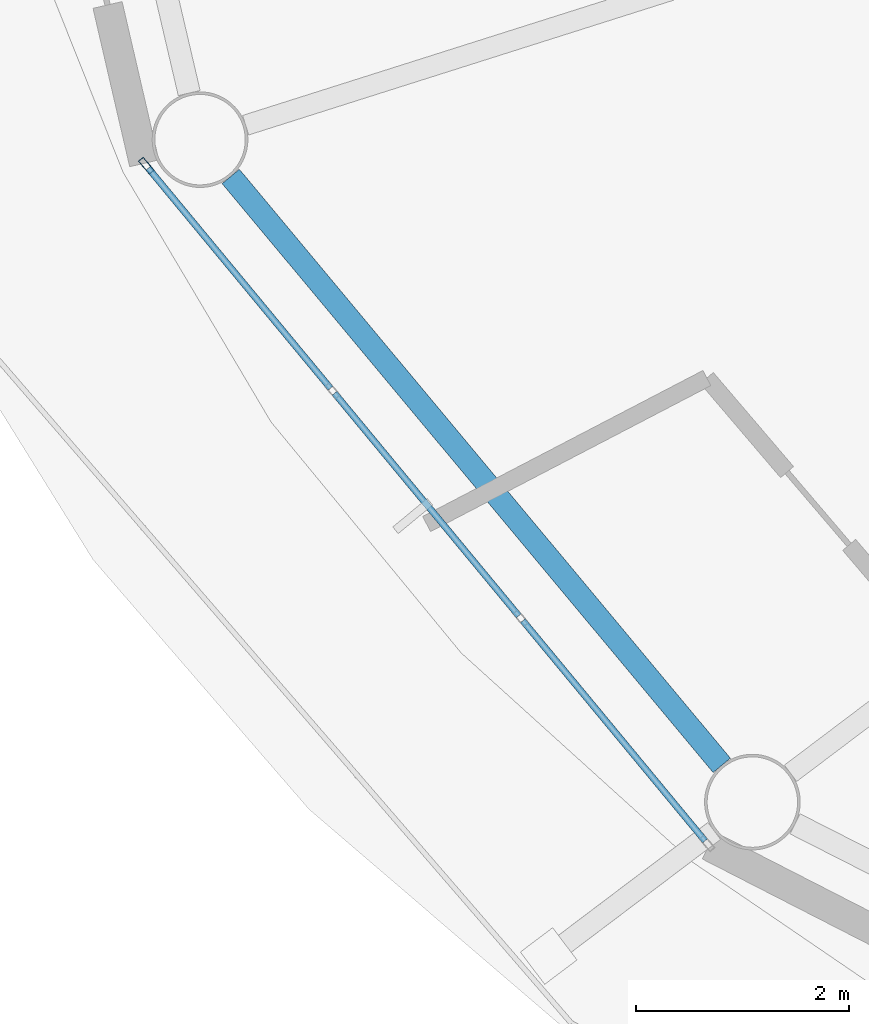
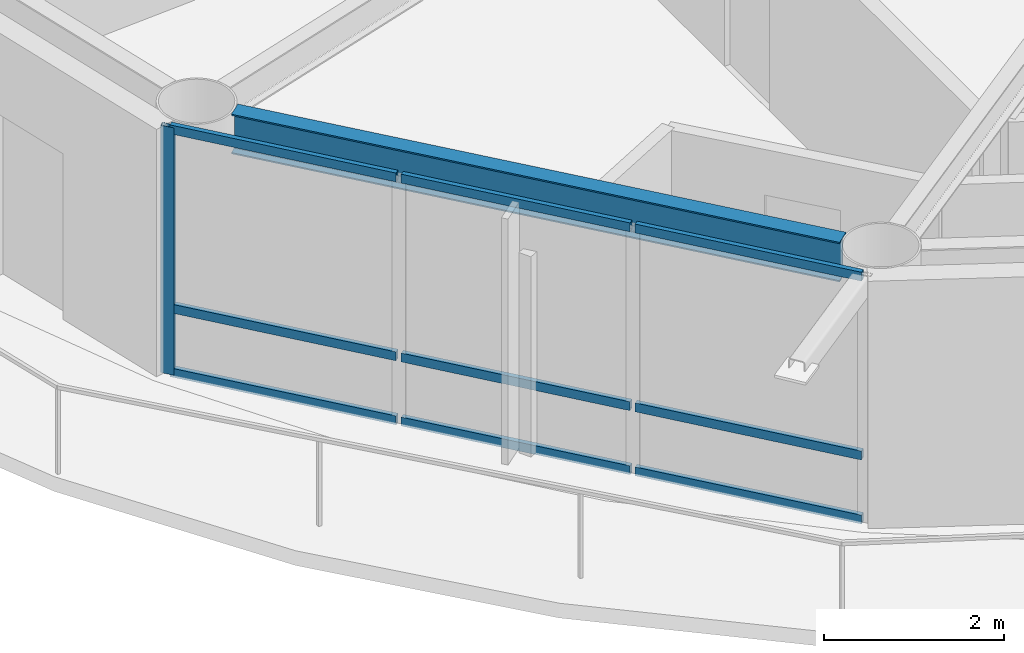
# One storey, part 3 of 23: 10 members, 1 beam, 1 element without a shape of its own.
"""IFC4 building model written with IfcOpenShell, lengths in metres."""

from ifc_helpers import new_model, si_unit, direction, frame, origin, origin_2d, place, context, subcontext, project, spatial, hollow_rectangle, i_section, extrude, material, layer, layer_set, material_profile, profile_set, type_object, element, aggregate, save


model = new_model("IFC4")

# Units and contexts
model_context = context("Model", 3, precision=1e-05, world=origin(), true_north=direction((0.0, 1.0)))
body_context = subcontext(model_context, "Body", "Model", "MODEL_VIEW")
ifc_project = project(units=[si_unit("LENGTHUNIT", "METRE"), si_unit("AREAUNIT", "SQUARE_METRE"), si_unit("VOLUMEUNIT", "CUBIC_METRE"), si_unit("PLANEANGLEUNIT", "RADIAN"), si_unit("MASSUNIT", "GRAM", prefix="KILO")], contexts=[model_context])

# Site, building, storey
site_placement = place(None, origin())
site = spatial("IfcSite", under=ifc_project, at=site_placement, CompositionType="ELEMENT")
building_placement = place(site_placement, origin())
building = spatial("IfcBuilding", under=site, at=building_placement, Name="Sarneth Arch Tower", CompositionType="ELEMENT")
storey_placement = place(building_placement, frame((0.0, 0.0, 220.800048828125)))
storey = spatial("IfcBuildingStorey", under=building, at=storey_placement, Name="L56", CompositionType="ELEMENT", Elevation=220.800048828125)

# Beam
ifc_material_1 = material(Name="Steel S355", Category="steel")
ifc_material_profile_1 = material_profile(ifc_material_1, i_section(OverallWidth=0.2109375, OverallDepth=0.5390625, WebThickness=0.01171875, FlangeThickness=0.018798828125, FilletRadius=0.01806640625, at=origin_2d()), Name="W530x109")
ifc_profile_set_1 = profile_set([ifc_material_profile_1], Name="Steel S355")
beam_type = type_object("IfcBeamType", Name="BM-RAD-530B", PredefinedType="BEAM", material=ifc_profile_set_1)
beam_placement = place(storey_placement, frame((25.119384765625, 34.306884765625, 3.09033203125), z_axis=(0.640390876881, -0.768049168222, 0.0), x_axis=(0.768049168222, 0.640390876881, 0.0)))
element("IfcBeam", 1, at=beam_placement, inside=storey, type_object=beam_type, Name="L56 Perimeter spandrel beam 10", PredefinedType="BEAM", context=body_context, shape_type="SweptSolid", body=[
    extrude(i_section(OverallWidth=0.2109375, OverallDepth=0.5390625, WebThickness=0.01171875, FlangeThickness=0.018798828125, FilletRadius=0.01806640625, at=origin_2d()), origin(), (0.0, 0.0, 1.0), 7.2099609375),
])

# Curtain wall, members
ifc_material_2 = material(Name="Anodised aluminium Type AA25 and solar-control low-e laminated IGU", Category="aluminium")
ifc_layer = layer(ifc_material_2, 0.179931640625)
ifc_layer_set = layer_set([ifc_layer], Name="Anodised aluminium Type AA25 and solar-control low-e laminated IGU")
curtain_wall_type = type_object("IfcCurtainWallType", Name="CW-RES-HIGH", PredefinedType="NOTDEFINED", material=ifc_layer_set)
curtain_wall_placement = place(storey_placement, origin())
curtain_wall = element("IfcCurtainWall", 2, at=curtain_wall_placement, inside=storey, type_object=curtain_wall_type, Name="L56 Unitised curtain wall facet 10", PredefinedType="NOTDEFINED")
ifc_material_3 = material(Name="Anodised Aluminium 6063-T6", Category="aluminium")
ifc_material_profile_2 = material_profile(ifc_material_3, hollow_rectangle(XDim=0.06005859375, YDim=0.159912109375, WallThickness=0.00390625, at=origin_2d()), Name="AL-MULL-160x60x4")
ifc_profile_set_2 = profile_set([ifc_material_profile_2], Name="Anodised Aluminium 6063-T6")
member_type_1 = type_object("IfcMemberType", Name="CW-MULLION", PredefinedType="MULLION", material=ifc_profile_set_2)
member_1_placement = place(storey_placement, frame((24.325439453125, 34.407470703125, 0.0), z_axis=(0.0, 0.0, 1.0), x_axis=(0.770359245933, 0.637610094184, 0.0)))
member_1 = element("IfcMember", 3, at=member_1_placement, type_object=member_type_1, Name="CW-SYS-6 mullion 1", PredefinedType="MULLION", context=body_context, shape_type="SweptSolid", body=[
    extrude(hollow_rectangle(XDim=0.06005859375, YDim=0.159912109375, WallThickness=0.00390625, at=origin_2d()), origin(), (0.0, 0.0, 1.0), 3.35986328125),
])
ifc_material_4 = material(Name="Anodised Aluminium 6063-T6", Category="aluminium")
ifc_material_profile_3 = material_profile(ifc_material_4, hollow_rectangle(XDim=0.06005859375, YDim=0.1201171875, WallThickness=0.00390625, at=origin_2d()), Name="AL-TRAN-120x60x4")
ifc_profile_set_3 = profile_set([ifc_material_profile_3], Name="Anodised Aluminium 6063-T6")
member_type_2 = type_object("IfcMemberType", Name="CW-TRANSOM", PredefinedType="USERDEFINED", material=ifc_profile_set_3)
member_2_placement = place(storey_placement, frame((24.344482421875, 34.38427734375, 0.030029296875), z_axis=(0.637651400067, -0.770325056059, 0.0), x_axis=(0.770325056059, 0.637651400067, 0.0)))
member_2 = element("IfcMember", 4, at=member_2_placement, type_object=member_type_2, Name="CW-SYS-6 transom 1.1", ObjectType="TRANSOM", PredefinedType="USERDEFINED", context=body_context, shape_type="SweptSolid", body=[
    extrude(hollow_rectangle(XDim=0.06005859375, YDim=0.1201171875, WallThickness=0.00390625, at=origin_2d()), origin(), (0.0, 0.0, 1.0), 2.6865234375),
])
member_3_placement = place(storey_placement, frame((24.344482421875, 34.38427734375, 0.89990234375), z_axis=(0.637651400067, -0.770325056059, 0.0), x_axis=(0.770325056059, 0.637651400067, 0.0)))
member_3 = element("IfcMember", 5, at=member_3_placement, type_object=member_type_2, Name="CW-SYS-6 transom 1.2", ObjectType="TRANSOM", PredefinedType="USERDEFINED", context=body_context, shape_type="SweptSolid", body=[
    extrude(hollow_rectangle(XDim=0.06005859375, YDim=0.1201171875, WallThickness=0.00390625, at=origin_2d()), origin(), (0.0, 0.0, 1.0), 2.6865234375),
])
member_4_placement = place(storey_placement, frame((24.344482421875, 34.38427734375, 3.329833984375), z_axis=(0.637651400067, -0.770325056059, 0.0), x_axis=(0.770325056059, 0.637651400067, 0.0)))
member_4 = element("IfcMember", 6, at=member_4_placement, type_object=member_type_2, Name="CW-SYS-6 transom 1.3", ObjectType="TRANSOM", PredefinedType="USERDEFINED", context=body_context, shape_type="SweptSolid", body=[
    extrude(hollow_rectangle(XDim=0.06005859375, YDim=0.1201171875, WallThickness=0.00390625, at=origin_2d()), origin(), (0.0, 0.0, 1.0), 2.6865234375),
])
member_5_placement = place(storey_placement, frame((26.095703125, 32.268310546875, 0.030029296875), z_axis=(0.637617371902, -0.770353222261, 0.0), x_axis=(0.770353222261, 0.637617371902, 0.0)))
member_5 = element("IfcMember", 7, at=member_5_placement, type_object=member_type_2, Name="CW-SYS-6 transom 2.1", ObjectType="TRANSOM", PredefinedType="USERDEFINED", context=body_context, shape_type="SweptSolid", body=[
    extrude(hollow_rectangle(XDim=0.06005859375, YDim=0.1201171875, WallThickness=0.00390625, at=origin_2d()), origin(), (0.0, 0.0, 1.0), 2.716552734375),
])
member_6_placement = place(storey_placement, frame((26.095703125, 32.268310546875, 0.89990234375), z_axis=(0.637617371902, -0.770353222261, 0.0), x_axis=(0.770353222261, 0.637617371902, 0.0)))
member_6 = element("IfcMember", 8, at=member_6_placement, type_object=member_type_2, Name="CW-SYS-6 transom 2.2", ObjectType="TRANSOM", PredefinedType="USERDEFINED", context=body_context, shape_type="SweptSolid", body=[
    extrude(hollow_rectangle(XDim=0.06005859375, YDim=0.1201171875, WallThickness=0.00390625, at=origin_2d()), origin(), (0.0, 0.0, 1.0), 2.716552734375),
])
member_7_placement = place(storey_placement, frame((26.095703125, 32.268310546875, 3.329833984375), z_axis=(0.637617371902, -0.770353222261, 0.0), x_axis=(0.770353222261, 0.637617371902, 0.0)))
member_7 = element("IfcMember", 9, at=member_7_placement, type_object=member_type_2, Name="CW-SYS-6 transom 2.3", ObjectType="TRANSOM", PredefinedType="USERDEFINED", context=body_context, shape_type="SweptSolid", body=[
    extrude(hollow_rectangle(XDim=0.06005859375, YDim=0.1201171875, WallThickness=0.00390625, at=origin_2d()), origin(), (0.0, 0.0, 1.0), 2.716552734375),
])
member_8_placement = place(storey_placement, frame((27.8662109375, 30.12939453125, 0.030029296875), z_axis=(0.637606765719, -0.770362000821, 0.0), x_axis=(0.770362000821, 0.637606765719, 0.0)))
member_8 = element("IfcMember", 10, at=member_8_placement, type_object=member_type_2, Name="CW-SYS-6 transom 3.1", ObjectType="TRANSOM", PredefinedType="USERDEFINED", context=body_context, shape_type="SweptSolid", body=[
    extrude(hollow_rectangle(XDim=0.06005859375, YDim=0.1201171875, WallThickness=0.00390625, at=origin_2d()), origin(), (0.0, 0.0, 1.0), 2.686767578125),
])
member_9_placement = place(storey_placement, frame((27.8662109375, 30.12939453125, 0.89990234375), z_axis=(0.637606765719, -0.770362000821, 0.0), x_axis=(0.770362000821, 0.637606765719, 0.0)))
member_9 = element("IfcMember", 11, at=member_9_placement, type_object=member_type_2, Name="CW-SYS-6 transom 3.2", ObjectType="TRANSOM", PredefinedType="USERDEFINED", context=body_context, shape_type="SweptSolid", body=[
    extrude(hollow_rectangle(XDim=0.06005859375, YDim=0.1201171875, WallThickness=0.00390625, at=origin_2d()), origin(), (0.0, 0.0, 1.0), 2.686767578125),
])
member_10_placement = place(storey_placement, frame((27.8662109375, 30.12939453125, 3.329833984375), z_axis=(0.637606765719, -0.770362000821, 0.0), x_axis=(0.770362000821, 0.637606765719, 0.0)))
member_10 = element("IfcMember", 12, at=member_10_placement, type_object=member_type_2, Name="CW-SYS-6 transom 3.3", ObjectType="TRANSOM", PredefinedType="USERDEFINED", context=body_context, shape_type="SweptSolid", body=[
    extrude(hollow_rectangle(XDim=0.06005859375, YDim=0.1201171875, WallThickness=0.00390625, at=origin_2d()), origin(), (0.0, 0.0, 1.0), 2.686767578125),
])
aggregate(curtain_wall, [member_1, member_2, member_3, member_4, member_5, member_6, member_7, member_8, member_9, member_10])

save(model, "model.ifc")
